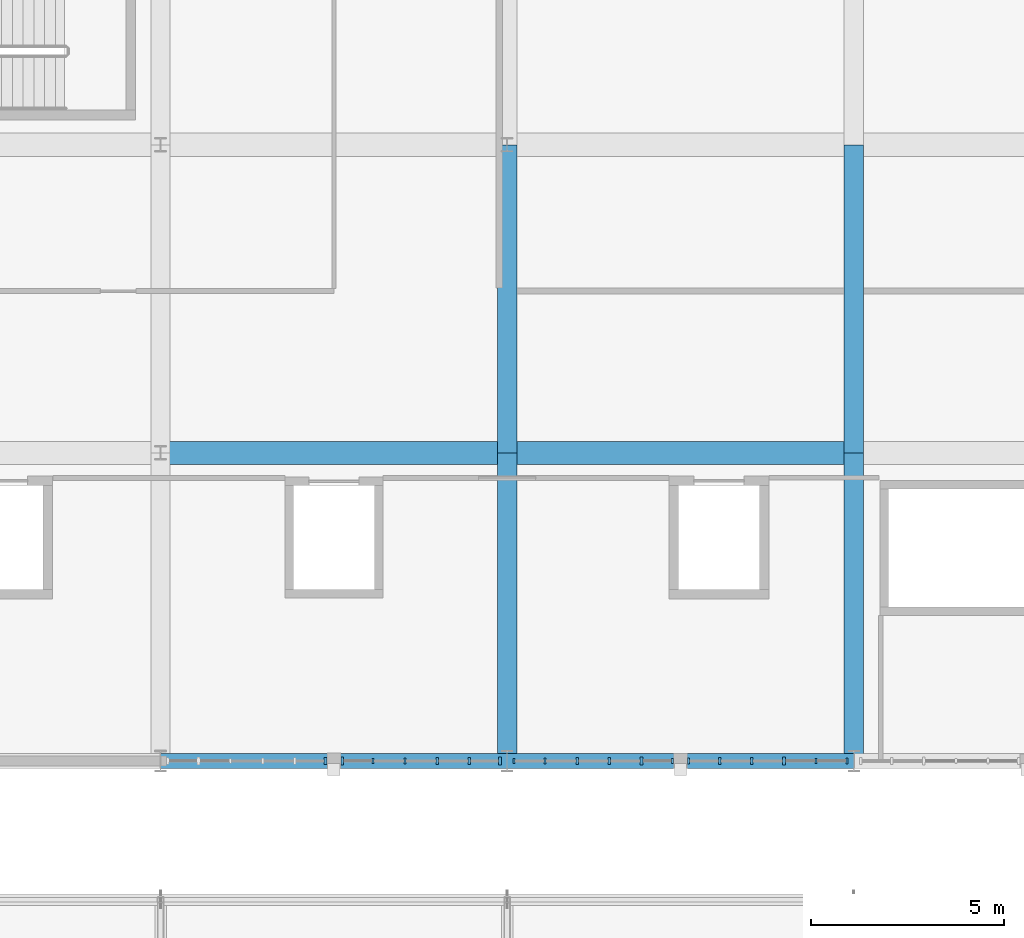
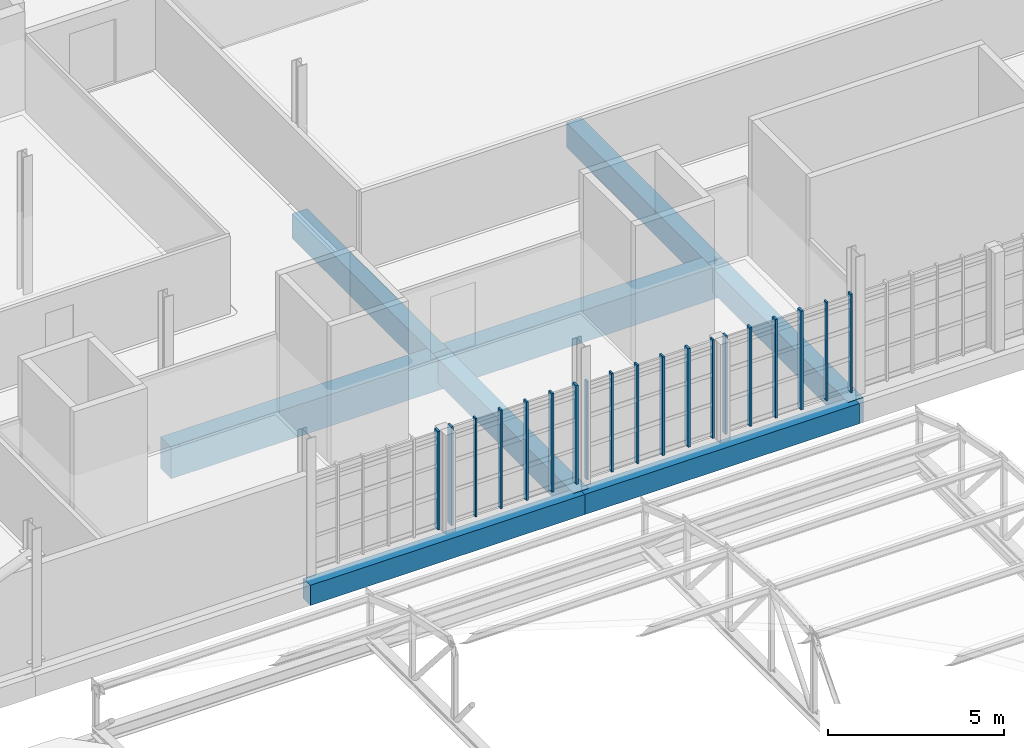
# One storey, part 18 of 128: 19 members, 8 beams, 4 elements without a shape of their own.
"""IFC4 building model written with IfcOpenShell, lengths in metres."""

from ifc_helpers import new_model, si_unit, direction, frame, origin, origin_2d, place, context, subcontext, project, spatial, rectangle, extrude, material, material_profile, profile_set, type_object, element, aggregate, save


model = new_model("IFC4")

# Units and contexts
model_context = context("Model", 3, precision=1e-05, world=origin(), true_north=direction((0.0, 1.0)))
body_context = subcontext(model_context, "Body", "Model", "MODEL_VIEW")
ifc_project = project(units=[si_unit("LENGTHUNIT", "METRE"), si_unit("AREAUNIT", "SQUARE_METRE"), si_unit("VOLUMEUNIT", "CUBIC_METRE"), si_unit("PLANEANGLEUNIT", "RADIAN"), si_unit("MASSUNIT", "GRAM", prefix="KILO")], contexts=[model_context])

# Site, building, storey
site_placement = place(None, origin())
site = spatial("IfcSite", under=ifc_project, at=site_placement, CompositionType="ELEMENT")
building_placement = place(site_placement, origin())
building = spatial("IfcBuilding", under=site, at=building_placement, Name="Serraforn Aerial Cableway Station", CompositionType="ELEMENT")
storey_placement = place(building_placement, frame((0.0, 0.0, 9.0)))
storey = spatial("IfcBuildingStorey", under=building, at=storey_placement, Name="L02", CompositionType="ELEMENT", Elevation=9.0)

# Beams
ifc_material_1 = material(Name="Concrete C35/45", Category="concrete")
ifc_material_profile_1 = material_profile(ifc_material_1, rectangle(XDim=0.39990234375, YDim=0.699951171875, at=origin_2d()), Name="RC 400x700")
ifc_profile_set_1 = profile_set([ifc_material_profile_1], Name="Concrete C35/45")
beam_type_1 = type_object("IfcBeamType", Name="BM-RC-400x700E", PredefinedType="SPANDREL", material=ifc_profile_set_1)
for number, where, z_axis, x_axis, name in (
    (1, (45.60009765625, 18.0, -0.7099609375), (1.0, 0.0, 0.0), (0.0, 1.0, 0.0), "Grid Girder X CV L02 Y1-3"),
    (2, (54.60009765625, 18.0, -0.7099609375), (1.0, 0.0, 0.0), (0.0, 1.0, 0.0), "Grid Girder X CV L02 Y1-4"),
):
    element("IfcBeam", number, at=place(storey_placement, frame(where, z_axis=z_axis, x_axis=x_axis)), inside=storey, type_object=beam_type_1, Name=name, PredefinedType="SPANDREL", context=body_context, shape_type="SweptSolid", body=[
        extrude(rectangle(XDim=0.39990234375, YDim=0.699951171875, at=origin_2d()), origin(), (0.0, 0.0, 1.0), 9.0),
    ])
ifc_material_profile_2 = material_profile(ifc_material_1, rectangle(XDim=0.5, YDim=0.85009765625, at=origin_2d()), Name="RC 500x850")
ifc_profile_set_2 = profile_set([ifc_material_profile_2], Name="Concrete C35/45")
beam_type_2 = type_object("IfcBeamType", Name="BM-RC-500x850", PredefinedType="USERDEFINED", material=ifc_profile_set_2)
for number, where, z_axis, x_axis, name in (
    (3, (54.60009765625, 18.0, -0.784912109375), (0.0, 1.0, 0.0), (-1.0, 0.0, 0.0), "Grid Girder Y CV L02 X4-1"),
    (4, (54.60009765625, 26.0, -0.784912109375), (0.0, 1.0, 0.0), (-1.0, 0.0, 0.0), "Grid Girder Y CV L02 X4-2"),
    (5, (63.60009765625, 18.0, -0.784912109375), (0.0, 1.0, 0.0), (-1.0, 0.0, 0.0), "Grid Girder Y CV L02 X5-1"),
    (6, (63.60009765625, 26.0, -0.784912109375), (0.0, 1.0, 0.0), (-1.0, 0.0, 0.0), "Grid Girder Y CV L02 X5-2"),
):
    element("IfcBeam", number, at=place(storey_placement, frame(where, z_axis=z_axis, x_axis=x_axis)), inside=storey, type_object=beam_type_2, Name=name, ObjectType="GIRDER", PredefinedType="USERDEFINED", context=body_context, shape_type="SweptSolid", body=[
        extrude(rectangle(XDim=0.5, YDim=0.85009765625, at=origin_2d()), origin(), (0.0, 0.0, 1.0), 8.0),
    ])
ifc_material_2 = material(Name="Concrete C40/50", Category="concrete")
ifc_material_profile_3 = material_profile(ifc_material_2, rectangle(XDim=0.60009765625, YDim=1.10009765625, at=origin_2d()), Name="RC 600x1100")
ifc_profile_set_3 = profile_set([ifc_material_profile_3], Name="Concrete C40/50")
beam_type_3 = type_object("IfcBeamType", Name="BM-RC-600x1100", PredefinedType="USERDEFINED", material=ifc_profile_set_3)
for number, where, z_axis, x_axis, name in (
    (7, (45.60009765625, 26.0, -0.909912109375), (1.0, 0.0, 0.0), (0.0, 1.0, 0.0), "Grid Girder X CV L02 Y2-3"),
    (8, (54.60009765625, 26.0, -0.909912109375), (1.0, 0.0, 0.0), (0.0, 1.0, 0.0), "Grid Girder X CV L02 Y2-4"),
):
    element("IfcBeam", number, at=place(storey_placement, frame(where, z_axis=z_axis, x_axis=x_axis)), inside=storey, type_object=beam_type_3, Name=name, ObjectType="GIRDER", PredefinedType="USERDEFINED", context=body_context, shape_type="SweptSolid", body=[
        extrude(rectangle(XDim=0.60009765625, YDim=1.10009765625, at=origin_2d()), origin(), (0.0, 0.0, 1.0), 9.0),
    ])

# Curtain wall, member
ifc_material_3 = material(Name="Anodised bronze unitised curtain wall")
curtain_wall_type_1 = type_object("IfcCurtainWallType", Name="CW-SYS-20", PredefinedType="USERDEFINED", material=ifc_material_3)
curtain_wall_1_placement = place(storey_placement, origin())
curtain_wall_1 = element("IfcCurtainWall", 9, at=curtain_wall_1_placement, inside=storey, type_object=curtain_wall_type_1, Name="Unitised Curtain Wall CW-CV-L02-S3B", ObjectType="UNITISED CURTAIN WALL", PredefinedType="USERDEFINED")
ifc_material_4 = material(Name="Anodised bronze extruded aluminium", Category="aluminium")
ifc_material_profile_4 = material_profile(ifc_material_4, rectangle(XDim=0.054931640625, YDim=0.139892578125, at=origin_2d()), Name="CW MULLION 55x140")
ifc_profile_set_4 = profile_set([ifc_material_profile_4], Name="Anodised bronze extruded aluminium")
member_type_1 = type_object("IfcMemberType", Name="CW-MUL-1", PredefinedType="MULLION", material=ifc_profile_set_4)
member_1_placement = place(storey_placement, frame((51.114501953125, 18.0, 0.0), z_axis=(0.0, 0.0, 1.0), x_axis=(1.0, 0.0, 0.0)))
member_1 = element("IfcMember", 10, at=member_1_placement, type_object=member_type_1, Name="Curtain Wall Mullion CW-CV-L02-S3B-M2", PredefinedType="MULLION", context=body_context, shape_type="SweptSolid", body=[
    extrude(rectangle(XDim=0.054931640625, YDim=0.139892578125, at=origin_2d()), origin(), (0.0, 0.0, 1.0), 3.419921875),
])

# Curtain wall, members
curtain_wall_type_2 = type_object("IfcCurtainWallType", Name="CW-SYS-21", PredefinedType="USERDEFINED", material=ifc_material_3)
curtain_wall_2_placement = place(storey_placement, origin())
curtain_wall_2 = element("IfcCurtainWall", 11, at=curtain_wall_2_placement, inside=storey, type_object=curtain_wall_type_2, Name="Unitised Curtain Wall CW-CV-L02-S4A", ObjectType="UNITISED CURTAIN WALL", PredefinedType="USERDEFINED")
member_2_placement = place(storey_placement, frame((54.775390625, 18.0, 0.0), z_axis=(0.0, 0.0, 1.0), x_axis=(1.0, 0.0, 0.0)))
member_2 = element("IfcMember", 12, at=member_2_placement, type_object=member_type_1, Name="Curtain Wall Mullion CW-CV-L02-S4A-M1", PredefinedType="MULLION", context=body_context, shape_type="SweptSolid", body=[
    extrude(rectangle(XDim=0.054931640625, YDim=0.139892578125, at=origin_2d()), origin(), (0.0, 0.0, 1.0), 3.419921875),
])
member_3_placement = place(storey_placement, frame((58.892578125, 18.0, 0.0), z_axis=(0.0, 0.0, 1.0), x_axis=(1.0, 0.0, 0.0)))
member_3 = element("IfcMember", 13, at=member_3_placement, type_object=member_type_1, Name="Curtain Wall Mullion CW-CV-L02-S4A-M6", PredefinedType="MULLION", context=body_context, shape_type="SweptSolid", body=[
    extrude(rectangle(XDim=0.054931640625, YDim=0.139892578125, at=origin_2d()), origin(), (0.0, 0.0, 1.0), 3.419921875),
])

# Curtain wall, member
curtain_wall_type_3 = type_object("IfcCurtainWallType", Name="CW-SYS-22", PredefinedType="USERDEFINED", material=ifc_material_3)
curtain_wall_3_placement = place(storey_placement, origin())
curtain_wall_3 = element("IfcCurtainWall", 14, at=curtain_wall_3_placement, inside=storey, type_object=curtain_wall_type_3, Name="Unitised Curtain Wall CW-CV-L02-S4B", ObjectType="UNITISED CURTAIN WALL", PredefinedType="USERDEFINED")
member_4_placement = place(storey_placement, frame((62.61767578125, 18.0, 0.0), z_axis=(0.0, 0.0, 1.0), x_axis=(1.0, 0.0, 0.0)))
member_4 = element("IfcMember", 15, at=member_4_placement, type_object=member_type_1, Name="Curtain Wall Mullion CW-CV-L02-S4B-M5", PredefinedType="MULLION", context=body_context, shape_type="SweptSolid", body=[
    extrude(rectangle(XDim=0.054931640625, YDim=0.139892578125, at=origin_2d()), origin(), (0.0, 0.0, 1.0), 3.419921875),
])

# Member
ifc_material_profile_5 = material_profile(ifc_material_4, rectangle(XDim=0.06005859375, YDim=0.159912109375, at=origin_2d()), Name="CW MULLION 60x160")
ifc_profile_set_5 = profile_set([ifc_material_profile_5], Name="Anodised bronze extruded aluminium")
member_type_2 = type_object("IfcMemberType", Name="CW-MUL-2", PredefinedType="MULLION", material=ifc_profile_set_5)
member_5_placement = place(storey_placement, frame((51.94873046875, 18.0, 0.0), z_axis=(0.0, 0.0, 1.0), x_axis=(1.0, 0.0, 0.0)))
member_5 = element("IfcMember", 16, at=member_5_placement, type_object=member_type_2, Name="Curtain Wall Mullion CW-CV-L02-S3B-M3", PredefinedType="MULLION", context=body_context, shape_type="SweptSolid", body=[
    extrude(rectangle(XDim=0.06005859375, YDim=0.159912109375, at=origin_2d()), origin(), (0.0, 0.0, 1.0), 3.419921875),
])

member_6_placement = place(storey_placement, frame((55.58251953125, 18.0, 0.0), z_axis=(0.0, 0.0, 1.0), x_axis=(1.0, 0.0, 0.0)))
member_6 = element("IfcMember", 17, at=member_6_placement, type_object=member_type_2, Name="Curtain Wall Mullion CW-CV-L02-S4A-M2", PredefinedType="MULLION", context=body_context, shape_type="SweptSolid", body=[
    extrude(rectangle(XDim=0.06005859375, YDim=0.159912109375, at=origin_2d()), origin(), (0.0, 0.0, 1.0), 3.419921875),
])

member_7_placement = place(storey_placement, frame((59.31005859375, 18.0, 0.0), z_axis=(0.0, 0.0, 1.0), x_axis=(1.0, 0.0, 0.0)))
member_7 = element("IfcMember", 18, at=member_7_placement, type_object=member_type_2, Name="Curtain Wall Mullion CW-CV-L02-S4B-M1", PredefinedType="MULLION", context=body_context, shape_type="SweptSolid", body=[
    extrude(rectangle(XDim=0.06005859375, YDim=0.159912109375, at=origin_2d()), origin(), (0.0, 0.0, 1.0), 3.419921875),
])

member_8_placement = place(storey_placement, frame((63.422119140625, 18.0, 0.0), z_axis=(0.0, 0.0, 1.0), x_axis=(1.0, 0.0, 0.0)))
member_8 = element("IfcMember", 19, at=member_8_placement, type_object=member_type_2, Name="Curtain Wall Mullion CW-CV-L02-S4B-M6", PredefinedType="MULLION", context=body_context, shape_type="SweptSolid", body=[
    extrude(rectangle(XDim=0.06005859375, YDim=0.159912109375, at=origin_2d()), origin(), (0.0, 0.0, 1.0), 3.419921875),
])

ifc_material_profile_6 = material_profile(ifc_material_4, rectangle(XDim=0.06494140625, YDim=0.175048828125, at=origin_2d()), Name="CW MULLION 65x175")
ifc_profile_set_6 = profile_set([ifc_material_profile_6], Name="Anodised bronze extruded aluminium")
member_type_3 = type_object("IfcMemberType", Name="CW-MUL-3", PredefinedType="MULLION", material=ifc_profile_set_6)
member_9_placement = place(storey_placement, frame((52.783203125, 18.0, 0.0), z_axis=(0.0, 0.0, 1.0), x_axis=(1.0, 0.0, 0.0)))
member_9 = element("IfcMember", 20, at=member_9_placement, type_object=member_type_3, Name="Curtain Wall Mullion CW-CV-L02-S3B-M4", PredefinedType="MULLION", context=body_context, shape_type="SweptSolid", body=[
    extrude(rectangle(XDim=0.06494140625, YDim=0.175048828125, at=origin_2d()), origin(), (0.0, 0.0, 1.0), 3.419921875),
])

member_10_placement = place(storey_placement, frame((56.416748046875, 18.0, 0.0), z_axis=(0.0, 0.0, 1.0), x_axis=(1.0, 0.0, 0.0)))
member_10 = element("IfcMember", 21, at=member_10_placement, type_object=member_type_3, Name="Curtain Wall Mullion CW-CV-L02-S4A-M3", PredefinedType="MULLION", context=body_context, shape_type="SweptSolid", body=[
    extrude(rectangle(XDim=0.06494140625, YDim=0.175048828125, at=origin_2d()), origin(), (0.0, 0.0, 1.0), 3.419921875),
])

member_11_placement = place(storey_placement, frame((60.114501953125, 18.0, 0.0), z_axis=(0.0, 0.0, 1.0), x_axis=(1.0, 0.0, 0.0)))
member_11 = element("IfcMember", 22, at=member_11_placement, type_object=member_type_3, Name="Curtain Wall Mullion CW-CV-L02-S4B-M2", PredefinedType="MULLION", context=body_context, shape_type="SweptSolid", body=[
    extrude(rectangle(XDim=0.06494140625, YDim=0.175048828125, at=origin_2d()), origin(), (0.0, 0.0, 1.0), 3.419921875),
])

# Curtain wall, member
curtain_wall_type_4 = type_object("IfcCurtainWallType", Name="CW-SYS-19", PredefinedType="USERDEFINED", material=ifc_material_3)
curtain_wall_4_placement = place(storey_placement, origin())
curtain_wall_4 = element("IfcCurtainWall", 23, at=curtain_wall_4_placement, inside=storey, type_object=curtain_wall_type_4, Name="Unitised Curtain Wall CW-CV-L02-S3A", ObjectType="UNITISED CURTAIN WALL", PredefinedType="USERDEFINED")
ifc_material_profile_7 = material_profile(ifc_material_4, rectangle(XDim=0.070068359375, YDim=0.18994140625, at=origin_2d()), Name="CW MULLION 70x190")
ifc_profile_set_7 = profile_set([ifc_material_profile_7], Name="Anodised bronze extruded aluminium")
member_type_4 = type_object("IfcMemberType", Name="CW-MUL-4", PredefinedType="MULLION", material=ifc_profile_set_7)
member_12_placement = place(storey_placement, frame((49.885009765625, 18.0, 0.0), z_axis=(0.0, 0.0, 1.0), x_axis=(1.0, 0.0, 0.0)))
member_12 = element("IfcMember", 24, at=member_12_placement, type_object=member_type_4, Name="Curtain Wall Mullion CW-CV-L02-S3A-M6", PredefinedType="MULLION", context=body_context, shape_type="SweptSolid", body=[
    extrude(rectangle(XDim=0.070068359375, YDim=0.18994140625, at=origin_2d()), origin(), (0.0, 0.0, 1.0), 3.419921875),
])
aggregate(curtain_wall_4, [member_12])

# Member
member_13_placement = place(storey_placement, frame((53.61767578125, 18.0, 0.0), z_axis=(0.0, 0.0, 1.0), x_axis=(1.0, 0.0, 0.0)))
member_13 = element("IfcMember", 25, at=member_13_placement, type_object=member_type_4, Name="Curtain Wall Mullion CW-CV-L02-S3B-M5", PredefinedType="MULLION", context=body_context, shape_type="SweptSolid", body=[
    extrude(rectangle(XDim=0.070068359375, YDim=0.18994140625, at=origin_2d()), origin(), (0.0, 0.0, 1.0), 3.419921875),
])

member_14_placement = place(storey_placement, frame((57.251220703125, 18.0, 0.0), z_axis=(0.0, 0.0, 1.0), x_axis=(1.0, 0.0, 0.0)))
member_14 = element("IfcMember", 26, at=member_14_placement, type_object=member_type_4, Name="Curtain Wall Mullion CW-CV-L02-S4A-M4", PredefinedType="MULLION", context=body_context, shape_type="SweptSolid", body=[
    extrude(rectangle(XDim=0.070068359375, YDim=0.18994140625, at=origin_2d()), origin(), (0.0, 0.0, 1.0), 3.419921875),
])

member_15_placement = place(storey_placement, frame((60.94873046875, 18.0, 0.0), z_axis=(0.0, 0.0, 1.0), x_axis=(1.0, 0.0, 0.0)))
member_15 = element("IfcMember", 27, at=member_15_placement, type_object=member_type_4, Name="Curtain Wall Mullion CW-CV-L02-S4B-M3", PredefinedType="MULLION", context=body_context, shape_type="SweptSolid", body=[
    extrude(rectangle(XDim=0.070068359375, YDim=0.18994140625, at=origin_2d()), origin(), (0.0, 0.0, 1.0), 3.419921875),
])

ifc_material_profile_8 = material_profile(ifc_material_4, rectangle(XDim=0.074951171875, YDim=0.199951171875, at=origin_2d()), Name="CW MULLION 75x200")
ifc_profile_set_8 = profile_set([ifc_material_profile_8], Name="Anodised bronze extruded aluminium")
member_type_5 = type_object("IfcMemberType", Name="CW-MUL-5", PredefinedType="MULLION", material=ifc_profile_set_8)
member_16_placement = place(storey_placement, frame((50.3173828125, 18.0, 0.0), z_axis=(0.0, 0.0, 1.0), x_axis=(1.0, 0.0, 0.0)))
member_16 = element("IfcMember", 28, at=member_16_placement, type_object=member_type_5, Name="Curtain Wall Mullion CW-CV-L02-S3B-M1", PredefinedType="MULLION", context=body_context, shape_type="SweptSolid", body=[
    extrude(rectangle(XDim=0.074951171875, YDim=0.199951171875, at=origin_2d()), origin(), (0.0, 0.0, 1.0), 3.419921875),
])

member_17_placement = place(storey_placement, frame((54.41455078125, 18.0, 0.0), z_axis=(0.0, 0.0, 1.0), x_axis=(1.0, 0.0, 0.0)))
member_17 = element("IfcMember", 29, at=member_17_placement, type_object=member_type_5, Name="Curtain Wall Mullion CW-CV-L02-S3B-M6", PredefinedType="MULLION", context=body_context, shape_type="SweptSolid", body=[
    extrude(rectangle(XDim=0.074951171875, YDim=0.199951171875, at=origin_2d()), origin(), (0.0, 0.0, 1.0), 3.419921875),
])

aggregate(curtain_wall_1, [member_16, member_1, member_5, member_9, member_13, member_17])

member_18_placement = place(storey_placement, frame((58.085693359375, 18.0, 0.0), z_axis=(0.0, 0.0, 1.0), x_axis=(1.0, 0.0, 0.0)))
member_18 = element("IfcMember", 30, at=member_18_placement, type_object=member_type_5, Name="Curtain Wall Mullion CW-CV-L02-S4A-M5", PredefinedType="MULLION", context=body_context, shape_type="SweptSolid", body=[
    extrude(rectangle(XDim=0.074951171875, YDim=0.199951171875, at=origin_2d()), origin(), (0.0, 0.0, 1.0), 3.419921875),
])

aggregate(curtain_wall_2, [member_2, member_6, member_10, member_14, member_18, member_3])

member_19_placement = place(storey_placement, frame((61.783203125, 18.0, 0.0), z_axis=(0.0, 0.0, 1.0), x_axis=(1.0, 0.0, 0.0)))
member_19 = element("IfcMember", 31, at=member_19_placement, type_object=member_type_5, Name="Curtain Wall Mullion CW-CV-L02-S4B-M4", PredefinedType="MULLION", context=body_context, shape_type="SweptSolid", body=[
    extrude(rectangle(XDim=0.074951171875, YDim=0.199951171875, at=origin_2d()), origin(), (0.0, 0.0, 1.0), 3.419921875),
])

aggregate(curtain_wall_3, [member_7, member_11, member_15, member_19, member_4, member_8])

save(model, "model.ifc")
